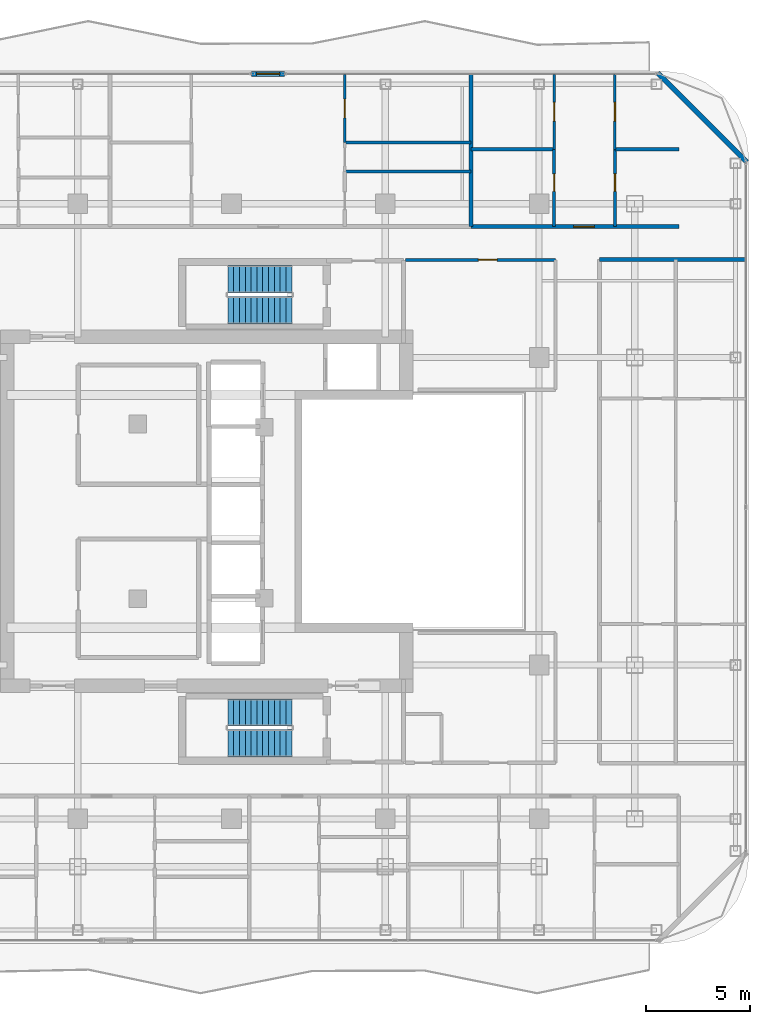
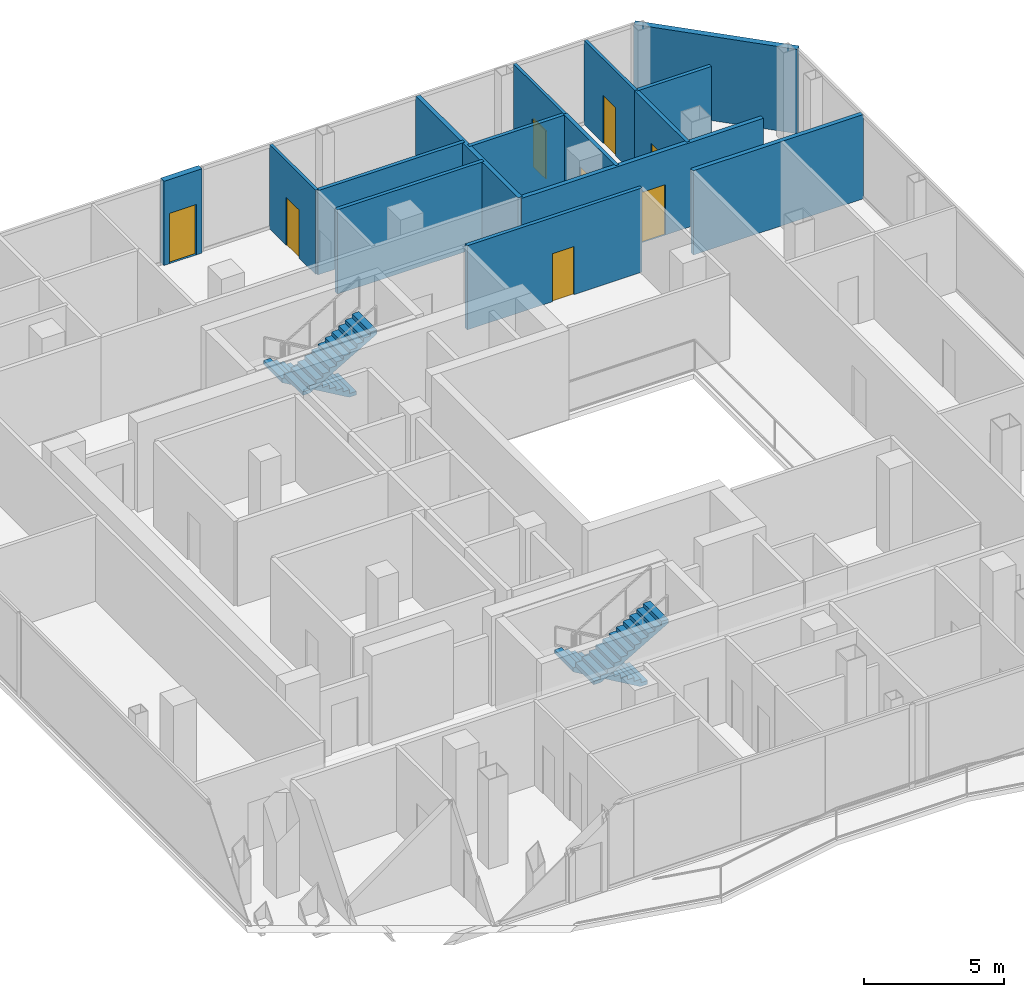
# One storey, part 20 of 23: 15 walls, 8 doors, 4 stair flights, 8 openings, 2 elements without a shape of their own.
"""IFC4 building model written with IfcOpenShell, lengths in metres."""

from ifc_helpers import new_model, si_unit, direction, frame, frame_2d, origin, place, context, subcontext, project, spatial, polyline, rectangle, outline, extrude, material, layer, layer_set, type_object, element, fill, aggregate, save


model = new_model("IFC4")

# Units and contexts
model_context = context("Model", 3, precision=1e-05, world=origin(), true_north=direction((0.0, 1.0)))
body_context = subcontext(model_context, "Body", "Model", "MODEL_VIEW")
ifc_project = project(units=[si_unit("LENGTHUNIT", "METRE"), si_unit("AREAUNIT", "SQUARE_METRE"), si_unit("VOLUMEUNIT", "CUBIC_METRE"), si_unit("PLANEANGLEUNIT", "RADIAN"), si_unit("MASSUNIT", "GRAM", prefix="KILO")], contexts=[model_context])

# Site, building, storey
site_placement = place(None, origin())
site = spatial("IfcSite", under=ifc_project, at=site_placement, CompositionType="ELEMENT")
building_placement = place(site_placement, origin())
building = spatial("IfcBuilding", under=site, at=building_placement, Name="Khorvyn Point Tower", CompositionType="ELEMENT")
storey_placement = place(building_placement, frame((0.0, 0.0, 274.199951171875)))
storey = spatial("IfcBuildingStorey", under=building, at=storey_placement, Name="L67", CompositionType="ELEMENT", Elevation=274.199951171875)

# Wall, opening, door
ifc_material_1 = material(Name="Double acoustic gypsum on twin steel stud", Category="steel")
ifc_layer_1 = layer(ifc_material_1, 0.179931640625)
ifc_layer_set_1 = layer_set([ifc_layer_1], Name="Acoustic Double-Stud Apartment Demising Wall 180")
wall_type_1 = type_object("IfcWallType", Name="Acoustic Double-Stud Apartment Demising Wall 180", PredefinedType="PARTITIONING", material=ifc_layer_set_1)
wall_1_placement = place(storey_placement, frame((11.51806640625, 13.699951171875, 0.0), z_axis=(0.0, 0.0, 1.0), x_axis=(1.0, 0.0, 0.0)))
wall_1 = element("IfcWall", 1, at=wall_1_placement, inside=storey, type_object=wall_type_1, Name="Wall", PredefinedType="PARTITIONING", context=body_context, shape_type="SweptSolid", body=[
    extrude(rectangle(XDim=10.001953125, YDim=0.179931640625, at=frame_2d((5.0009765625, 0.0))), origin(), (0.0, 0.0, 1.0), 3.679931640625),
])
opening_1_placement = place(wall_1_placement, frame((4.944091796875, 0.0, 0.0)))
opening_1 = element("IfcOpeningElement", 2, at=opening_1_placement, cuts=wall_1, Name="Opening ID-AP60", PredefinedType="OPENING", context=body_context, shape_type="SweptSolid", body=[
    extrude(rectangle(XDim=1.0, YDim=2.199951171875, at=frame_2d((0.5, 1.10009765625))), frame((0.0, 0.099853515625, 0.0), z_axis=(0.0, -1.0, 0.0), x_axis=(1.0, 0.0, 0.0)), (0.0, 0.0, 1.0), 0.199951171875),
])
ifc_material_2 = material(Name="Engineered hardwood fire-rated leaf", Category="wood")
door_type_1 = type_object("IfcDoorType", Name="Acoustic Solid-Core Timber Apartment Entrance Door 1000x2200", OperationType="NOTDEFINED", PredefinedType="DOOR", material=ifc_material_2)
door_1_placement = place(opening_1_placement, origin())
door_1 = element("IfcDoor", 3, at=door_1_placement, inside=storey, type_object=door_type_1, Name="Door", OperationType="SINGLE_SWING_LEFT", OverallHeight=2.199951171875, OverallWidth=1.0, PredefinedType="DOOR", context=body_context, shape_type="SweptSolid", body=[
    extrude(rectangle(XDim=1.0, YDim=2.199951171875, at=frame_2d((0.5, 1.10009765625))), frame((0.0, 0.02490234375, 0.0), z_axis=(0.0, -1.0, 0.0), x_axis=(1.0, 0.0, 0.0)), (0.0, 0.0, 1.0), 0.050048828125),
])
fill(opening_1, door_1)

# Walls
wall_2_placement = place(storey_placement, frame((11.51806640625, 13.699951171875, 0.0), z_axis=(0.0, 0.0, 1.0), x_axis=(0.0, 1.0, 0.0)))
element("IfcWall", 4, at=wall_2_placement, inside=storey, type_object=wall_type_1, Name="Wall", PredefinedType="PARTITIONING", context=body_context, shape_type="SweptSolid", body=[
    extrude(rectangle(XDim=7.330078125, YDim=0.179931640625, at=frame_2d((3.6650390625, 0.0))), origin(), (0.0, 0.0, 1.0), 3.679931640625),
])
wall_3_placement = place(storey_placement, frame((17.699951171875, 12.1201171875, 0.0), z_axis=(0.0, 0.0, 1.0), x_axis=(1.0, 0.0, 0.0)))
element("IfcWall", 5, at=wall_3_placement, inside=storey, type_object=wall_type_1, Name="Wall", PredefinedType="PARTITIONING", context=body_context, shape_type="SweptSolid", body=[
    extrude(rectangle(XDim=7.030029296875, YDim=0.179931640625, at=frame_2d((3.51513671875, 0.0))), origin(), (0.0, 0.0, 1.0), 3.679931640625),
])

# Wall, opening, door
ifc_material_3 = material(Name="Pale anodised aluminium rainscreen on steel stud", Category="steel")
ifc_layer_2 = layer(ifc_material_3, 0.239990234375)
ifc_layer_set_2 = layer_set([ifc_layer_2], Name="Anodised Aluminium Insulated Corner Spandrel Wall 240")
wall_type_2 = type_object("IfcWallType", Name="Anodised Aluminium Insulated Corner Spandrel Wall 240", PredefinedType="SOLIDWALL", material=ifc_layer_set_2)
wall_4_placement = place(storey_placement, frame((0.967041015625, 21.050048828125, 0.0), z_axis=(0.0, 0.0, 1.0), x_axis=(1.0, 0.0, 0.0)))
wall_4 = element("IfcWall", 6, at=wall_4_placement, inside=storey, type_object=wall_type_2, Name="L67 North Outdoor Threshold Wall", PredefinedType="SOLIDWALL", context=body_context, shape_type="SweptSolid", body=[
    extrude(rectangle(XDim=1.580078125, YDim=0.239990234375, at=frame_2d((0.7900390625, 0.0))), origin(), (0.0, 0.0, 1.0), 3.679931640625),
])
opening_2_placement = place(wall_4_placement, frame((0.239990234375, 0.0, 0.0)))
opening_2 = element("IfcOpeningElement", 7, at=opening_2_placement, cuts=wall_4, Name="Opening BD-1122", PredefinedType="OPENING", context=body_context, shape_type="SweptSolid", body=[
    extrude(rectangle(XDim=1.10009765625, YDim=2.199951171875, at=frame_2d((0.550048828125, 1.10009765625))), frame((0.0, 0.1298828125, 0.0), z_axis=(0.0, -1.0, 0.0), x_axis=(1.0, 0.0, 0.0)), (0.0, 0.0, 1.0), 0.260009765625),
])
ifc_material_4 = material(Name="Anodised aluminium 6063-T6 and laminated Low-E glass", Category="aluminium")
door_type_2 = type_object("IfcDoorType", Name="Glazed Balcony and Terrace Threshold Door 1100x2200", OperationType="NOTDEFINED", PredefinedType="DOOR", material=ifc_material_4)
door_2_placement = place(opening_2_placement, origin())
door_2 = element("IfcDoor", 8, at=door_2_placement, inside=storey, type_object=door_type_2, Name="L67 North Glazed Balcony Outdoor Door", OperationType="SINGLE_SWING_LEFT", OverallHeight=2.199951171875, OverallWidth=1.10009765625, PredefinedType="DOOR", context=body_context, shape_type="SweptSolid", body=[
    extrude(rectangle(XDim=1.10009765625, YDim=2.199951171875, at=frame_2d((0.550048828125, 1.10009765625))), frame((0.0, 0.02490234375, 0.0), z_axis=(0.0, -1.0, 0.0), x_axis=(1.0, 0.0, 0.0)), (0.0, 0.0, 1.0), 0.050048828125),
])
fill(opening_2, door_2)

# Wall
wall_5_placement = place(storey_placement, frame((20.507568359375, 21.09228515625, 0.0), z_axis=(0.0, 0.0, 1.0), x_axis=(0.707126925818, -0.707086635981, 0.0)))
element("IfcWall", 9, at=wall_5_placement, inside=storey, type_object=wall_type_2, Name="L67 Rounded Corner Wall NE", PredefinedType="SOLIDWALL", context=body_context, shape_type="SweptSolid", body=[
    extrude(rectangle(XDim=6.0595703125, YDim=0.239990234375, at=frame_2d((3.02978515625, 0.0))), origin(), (0.0, 0.0, 1.0), 3.679931640625),
])

# Wall, opening, door
ifc_material_5 = material(Name="Gypsum plasterboard on steel stud", Category="steel")
ifc_layer_3 = layer(ifc_material_5, 0.1201171875)
ifc_layer_set_3 = layer_set([ifc_layer_3], Name="Gypsum Acoustic Stud Room Partition Wall 120")
wall_type_3 = type_object("IfcWallType", Name="Gypsum Acoustic Stud Room Partition Wall 120", PredefinedType="PARTITIONING", material=ifc_layer_set_3)
wall_6_placement = place(storey_placement, frame((5.448974609375, 17.743896484375, 0.0), z_axis=(0.0, 0.0, 1.0), x_axis=(0.0, 1.0, 0.0)))
wall_6 = element("IfcWall", 10, at=wall_6_placement, inside=storey, type_object=wall_type_3, Name="Wall", PredefinedType="PARTITIONING", context=body_context, shape_type="SweptSolid", body=[
    extrude(rectangle(XDim=3.2861328125, YDim=0.1201171875, at=frame_2d((1.64306640625, 0.0))), origin(), (0.0, 0.0, 1.0), 3.679931640625),
])
opening_3_placement = place(wall_6_placement, frame((1.193115234375, 0.0, 0.0)))
opening_3 = element("IfcOpeningElement", 11, at=opening_3_placement, cuts=wall_6, Name="Opening ID-RM90", PredefinedType="OPENING", context=body_context, shape_type="SweptSolid", body=[
    extrude(rectangle(XDim=0.89990234375, YDim=2.10009765625, at=frame_2d((0.449951171875, 1.050048828125))), frame((0.0, 0.070068359375, 0.0), z_axis=(0.0, -1.0, 0.0), x_axis=(1.0, 0.0, 0.0)), (0.0, 0.0, 1.0), 0.14013671875),
])
ifc_material_6 = material(Name="Engineered oak veneer timber", Category="wood")
door_type_3 = type_object("IfcDoorType", Name="Flush Engineered Timber Room Door 900x2100", OperationType="NOTDEFINED", PredefinedType="DOOR", material=ifc_material_6)
door_3_placement = place(opening_3_placement, origin())
door_3 = element("IfcDoor", 12, at=door_3_placement, inside=storey, type_object=door_type_3, Name="Door", OperationType="SINGLE_SWING_RIGHT", OverallHeight=2.10009765625, OverallWidth=0.89990234375, PredefinedType="DOOR", context=body_context, shape_type="SweptSolid", body=[
    extrude(rectangle(XDim=0.89990234375, YDim=2.10009765625, at=frame_2d((0.449951171875, 1.050048828125))), frame((0.0, 0.02490234375, 0.0), z_axis=(0.0, -1.0, 0.0), x_axis=(1.0, 0.0, 0.0)), (0.0, 0.0, 1.0), 0.050048828125),
])
fill(opening_3, door_3)

wall_7_placement = place(storey_placement, frame((15.51904296875, 17.4208984375, 0.0), z_axis=(0.0, 0.0, 1.0), x_axis=(0.0, 1.0, 0.0)))
wall_7 = element("IfcWall", 13, at=wall_7_placement, inside=storey, type_object=wall_type_3, Name="Wall", PredefinedType="PARTITIONING", context=body_context, shape_type="SweptSolid", body=[
    extrude(rectangle(XDim=3.609130859375, YDim=0.1201171875, at=frame_2d((1.8046875, 0.0))), origin(), (0.0, 0.0, 1.0), 3.679931640625),
])
opening_4_placement = place(wall_7_placement, frame((1.3544921875, 0.0, 0.0)))
opening_4 = element("IfcOpeningElement", 14, at=opening_4_placement, cuts=wall_7, Name="Opening ID-RM90", PredefinedType="OPENING", context=body_context, shape_type="SweptSolid", body=[
    extrude(rectangle(XDim=0.89990234375, YDim=2.10009765625, at=frame_2d((0.449951171875, 1.050048828125))), frame((0.0, 0.070068359375, 0.0), z_axis=(0.0, -1.0, 0.0), x_axis=(1.0, 0.0, 0.0)), (0.0, 0.0, 1.0), 0.14013671875),
])
door_4_placement = place(opening_4_placement, origin())
door_4 = element("IfcDoor", 15, at=door_4_placement, inside=storey, type_object=door_type_3, Name="Door", OperationType="SINGLE_SWING_LEFT", OverallHeight=2.10009765625, OverallWidth=0.89990234375, PredefinedType="DOOR", context=body_context, shape_type="SweptSolid", body=[
    extrude(rectangle(XDim=0.89990234375, YDim=2.10009765625, at=frame_2d((0.449951171875, 1.050048828125))), frame((0.0, 0.02490234375, 0.0), z_axis=(0.0, -1.0, 0.0), x_axis=(1.0, 0.0, 0.0)), (0.0, 0.0, 1.0), 0.050048828125),
])
fill(opening_4, door_4)

wall_8_placement = place(storey_placement, frame((18.450927734375, 17.4208984375, 0.0), z_axis=(0.0, 0.0, 1.0), x_axis=(0.0, 1.0, 0.0)))
wall_8 = element("IfcWall", 16, at=wall_8_placement, inside=storey, type_object=wall_type_3, Name="Wall", PredefinedType="PARTITIONING", context=body_context, shape_type="SweptSolid", body=[
    extrude(rectangle(XDim=3.609130859375, YDim=0.1201171875, at=frame_2d((1.8046875, 0.0))), origin(), (0.0, 0.0, 1.0), 3.679931640625),
])
opening_5_placement = place(wall_8_placement, frame((1.3544921875, 0.0, 0.0)))
opening_5 = element("IfcOpeningElement", 17, at=opening_5_placement, cuts=wall_8, Name="Opening ID-RM90", PredefinedType="OPENING", context=body_context, shape_type="SweptSolid", body=[
    extrude(rectangle(XDim=0.89990234375, YDim=2.10009765625, at=frame_2d((0.449951171875, 1.050048828125))), frame((0.0, 0.070068359375, 0.0), z_axis=(0.0, -1.0, 0.0), x_axis=(1.0, 0.0, 0.0)), (0.0, 0.0, 1.0), 0.14013671875),
])
door_5_placement = place(opening_5_placement, origin())
door_5 = element("IfcDoor", 18, at=door_5_placement, inside=storey, type_object=door_type_3, Name="Door", OperationType="SINGLE_SWING_LEFT", OverallHeight=2.10009765625, OverallWidth=0.89990234375, PredefinedType="DOOR", context=body_context, shape_type="SweptSolid", body=[
    extrude(rectangle(XDim=0.89990234375, YDim=2.10009765625, at=frame_2d((0.449951171875, 1.050048828125))), frame((0.0, 0.02490234375, 0.0), z_axis=(0.0, -1.0, 0.0), x_axis=(1.0, 0.0, 0.0)), (0.0, 0.0, 1.0), 0.050048828125),
])
fill(opening_5, door_5)

ifc_material_7 = material(Name="Moisture-resistant gypsum and cement board", Category="gypsum")
ifc_layer_4 = layer(ifc_material_7, 0.14990234375)
ifc_layer_set_4 = layer_set([ifc_layer_4], Name="Moisture-Resistant Wet-Room Partition Wall 150")
wall_type_4 = type_object("IfcWallType", Name="Moisture-Resistant Wet-Room Partition Wall 150", PredefinedType="PARTITIONING", material=ifc_layer_set_4)
wall_9_placement = place(storey_placement, frame((8.360107421875, 12.10009765625, 0.0), z_axis=(0.0, 0.0, 1.0), x_axis=(1.0, 0.0, 0.0)))
wall_9 = element("IfcWall", 19, at=wall_9_placement, inside=storey, type_object=wall_type_4, Name="Wall", PredefinedType="PARTITIONING", context=body_context, shape_type="SweptSolid", body=[
    extrude(rectangle(XDim=7.219970703125, YDim=0.14990234375, at=frame_2d((3.60986328125, 0.0))), origin(), (0.0, 0.0, 1.0), 3.679931640625),
])
opening_6_placement = place(wall_9_placement, frame((3.512939453125, 0.0, 0.0)))
opening_6 = element("IfcOpeningElement", 20, at=opening_6_placement, cuts=wall_9, Name="Opening ID-RM90", PredefinedType="OPENING", context=body_context, shape_type="SweptSolid", body=[
    extrude(rectangle(XDim=0.89990234375, YDim=2.10009765625, at=frame_2d((0.449951171875, 1.050048828125))), frame((0.0, 0.0849609375, 0.0), z_axis=(0.0, -1.0, 0.0), x_axis=(1.0, 0.0, 0.0)), (0.0, 0.0, 1.0), 0.169921875),
])
door_6_placement = place(opening_6_placement, origin())
door_6 = element("IfcDoor", 21, at=door_6_placement, inside=storey, type_object=door_type_3, Name="Door", OperationType="SINGLE_SWING_RIGHT", OverallHeight=2.10009765625, OverallWidth=0.89990234375, PredefinedType="DOOR", context=body_context, shape_type="SweptSolid", body=[
    extrude(rectangle(XDim=0.89990234375, YDim=2.10009765625, at=frame_2d((0.449951171875, 1.050048828125))), frame((0.0, 0.02490234375, 0.0), z_axis=(0.0, -1.0, 0.0), x_axis=(1.0, 0.0, 0.0)), (0.0, 0.0, 1.0), 0.050048828125),
])
fill(opening_6, door_6)

wall_10_placement = place(storey_placement, frame((15.51904296875, 13.699951171875, 0.0), z_axis=(0.0, 0.0, 1.0), x_axis=(0.0, 1.0, 0.0)))
wall_10 = element("IfcWall", 22, at=wall_10_placement, inside=storey, type_object=wall_type_4, Name="Wall", PredefinedType="PARTITIONING", context=body_context, shape_type="SweptSolid", body=[
    extrude(rectangle(XDim=3.720947265625, YDim=0.14990234375, at=frame_2d((1.8603515625, 0.0))), origin(), (0.0, 0.0, 1.0), 3.679931640625),
])
opening_7_placement = place(wall_10_placement, frame((1.690673828125, 0.0, 0.0)))
opening_7 = element("IfcOpeningElement", 23, at=opening_7_placement, cuts=wall_10, Name="Opening ID-WC85", PredefinedType="OPENING", context=body_context, shape_type="SweptSolid", body=[
    extrude(rectangle(XDim=0.85009765625, YDim=2.10009765625, at=frame_2d((0.425048828125, 1.050048828125))), frame((0.0, 0.0849609375, 0.0), z_axis=(0.0, -1.0, 0.0), x_axis=(1.0, 0.0, 0.0)), (0.0, 0.0, 1.0), 0.169921875),
])
ifc_material_8 = material(Name="High-pressure laminate on moisture-resistant core", Category="wood")
door_type_4 = type_object("IfcDoorType", Name="Moisture-Resistant Accessible Washroom Door 850x2100", OperationType="NOTDEFINED", PredefinedType="DOOR", material=ifc_material_8)
door_7_placement = place(opening_7_placement, origin())
door_7 = element("IfcDoor", 24, at=door_7_placement, inside=storey, type_object=door_type_4, Name="Door", OperationType="SINGLE_SWING_RIGHT", OverallHeight=2.10009765625, OverallWidth=0.85009765625, PredefinedType="DOOR", context=body_context, shape_type="SweptSolid", body=[
    extrude(rectangle(XDim=0.85009765625, YDim=2.10009765625, at=frame_2d((0.425048828125, 1.050048828125))), frame((0.0, 0.02490234375, 0.0), z_axis=(0.0, -1.0, 0.0), x_axis=(1.0, 0.0, 0.0)), (0.0, 0.0, 1.0), 0.050048828125),
])
fill(opening_7, door_7)

wall_11_placement = place(storey_placement, frame((18.450927734375, 13.699951171875, 0.0), z_axis=(0.0, 0.0, 1.0), x_axis=(0.0, 1.0, 0.0)))
wall_11 = element("IfcWall", 25, at=wall_11_placement, inside=storey, type_object=wall_type_4, Name="Wall", PredefinedType="PARTITIONING", context=body_context, shape_type="SweptSolid", body=[
    extrude(rectangle(XDim=3.720947265625, YDim=0.14990234375, at=frame_2d((1.8603515625, 0.0))), origin(), (0.0, 0.0, 1.0), 3.679931640625),
])
opening_8_placement = place(wall_11_placement, frame((1.690673828125, 0.0, 0.0)))
opening_8 = element("IfcOpeningElement", 26, at=opening_8_placement, cuts=wall_11, Name="Opening ID-WC85", PredefinedType="OPENING", context=body_context, shape_type="SweptSolid", body=[
    extrude(rectangle(XDim=0.85009765625, YDim=2.10009765625, at=frame_2d((0.425048828125, 1.050048828125))), frame((0.0, 0.0849609375, 0.0), z_axis=(0.0, -1.0, 0.0), x_axis=(1.0, 0.0, 0.0)), (0.0, 0.0, 1.0), 0.169921875),
])
door_8_placement = place(opening_8_placement, origin())
door_8 = element("IfcDoor", 27, at=door_8_placement, inside=storey, type_object=door_type_4, Name="Door", OperationType="SINGLE_SWING_RIGHT", OverallHeight=2.10009765625, OverallWidth=0.85009765625, PredefinedType="DOOR", context=body_context, shape_type="SweptSolid", body=[
    extrude(rectangle(XDim=0.85009765625, YDim=2.10009765625, at=frame_2d((0.425048828125, 1.050048828125))), frame((0.0, 0.02490234375, 0.0), z_axis=(0.0, -1.0, 0.0), x_axis=(1.0, 0.0, 0.0)), (0.0, 0.0, 1.0), 0.050048828125),
])
fill(opening_8, door_8)

# Walls
for number, where, z_axis, x_axis, name in (
    (28, (5.448974609375, 16.361083984375, 0.0), (0.0, 0.0, 1.0), (1.0, 0.0, 0.0), "Wall"),
    (29, (5.448974609375, 17.743896484375, 0.0), (0.0, 0.0, 1.0), (1.0, 0.0, 0.0), "Wall"),
):
    element("IfcWall", number, at=place(storey_placement, frame(where, z_axis=z_axis, x_axis=x_axis)), inside=storey, type_object=wall_type_4, Name=name, PredefinedType="PARTITIONING", context=body_context, shape_type="SweptSolid", body=[
        extrude(rectangle(XDim=6.069091796875, YDim=0.14990234375, at=frame_2d((3.03466796875, 0.0))), origin(), (0.0, 0.0, 1.0), 3.679931640625),
    ])
wall_12_placement = place(storey_placement, frame((11.51806640625, 17.4208984375, 0.0), z_axis=(0.0, 0.0, 1.0), x_axis=(1.0, 0.0, 0.0)))
element("IfcWall", 30, at=wall_12_placement, inside=storey, type_object=wall_type_4, Name="Wall", PredefinedType="PARTITIONING", context=body_context, shape_type="SweptSolid", body=[
    extrude(rectangle(XDim=4.0009765625, YDim=0.14990234375, at=frame_2d((2.00048828125, 0.0))), origin(), (0.0, 0.0, 1.0), 3.679931640625),
])
wall_13_placement = place(storey_placement, frame((18.450927734375, 17.4208984375, 0.0), z_axis=(0.0, 0.0, 1.0), x_axis=(1.0, 0.0, 0.0)))
element("IfcWall", 31, at=wall_13_placement, inside=storey, type_object=wall_type_4, Name="Wall", PredefinedType="PARTITIONING", context=body_context, shape_type="SweptSolid", body=[
    extrude(rectangle(XDim=3.069091796875, YDim=0.14990234375, at=frame_2d((1.53466796875, 0.0))), origin(), (0.0, 0.0, 1.0), 3.679931640625),
])

# Stair, stair flights
ifc_material_9 = material(Name="Concrete C40/50", Category="concrete")
stair_type = type_object("IfcStairType", Name="Tower Concrete C40/50 Dogleg Exit Stair", PredefinedType="HALF_TURN_STAIR", material=ifc_material_9)
stair_1_placement = place(storey_placement, origin())
stair_1 = element("IfcStair", 32, at=stair_1_placement, inside=storey, type_object=stair_type, Name="L67 Tower Smokeproof Exit Stair South", PredefinedType="HALF_TURN_STAIR")
stair_flight_type = type_object("IfcStairFlightType", Name="Tower Concrete C40/50 Stair Flight", PredefinedType="STRAIGHT", material=ifc_material_9)
stair_flight_1_placement = place(storey_placement, frame((2.89990234375, -9.679931640625, 0.0), z_axis=(0.0, 0.0, 1.0), x_axis=(-1.0, 0.0, 0.0)))
stair_flight_1 = element("IfcStairFlight", 33, at=stair_flight_1_placement, type_object=stair_flight_type, Name="ST-01 flight 1", NumberOfRisers=12, NumberOfTreads=11, PredefinedType="STRAIGHT", RiserHeight=0.1625, TreadLength=0.28, context=body_context, shape_type="SweptSolid", body=[
    extrude(outline(polyline([(0.0, 0.0), (0.0, 0.16259765625), (0.280029296875, 0.16259765625), (0.280029296875, 0.324951171875), (0.56005859375, 0.324951171875), (0.56005859375, 0.487548828125), (0.840087890625, 0.487548828125), (0.840087890625, 0.64990234375), (1.1201171875, 0.64990234375), (1.1201171875, 0.8125), (1.39990234375, 0.8125), (1.39990234375, 0.97509765625), (1.679931640625, 0.97509765625), (1.679931640625, 1.137451171875), (1.9599609375, 1.137451171875), (1.9599609375, 1.300048828125), (2.239990234375, 1.300048828125), (2.239990234375, 1.46240234375), (2.52001953125, 1.46240234375), (2.52001953125, 1.625), (2.800048828125, 1.625), (2.800048828125, 1.78759765625), (3.080078125, 1.78759765625), (3.080078125, 1.949951171875), (3.080078125, 1.6142578125), (0.298583984375, 0.0), (0.0, 0.0)])), frame((0.0, 0.66015625, 0.0), z_axis=(0.0, -1.0, 0.0), x_axis=(1.0, 0.0, 0.0)), (0.0, 0.0, 1.0), 1.320068359375),
])
stair_flight_2_placement = place(storey_placement, frame((-0.179931640625, -11.159912109375, 1.949951171875), z_axis=(0.0, 0.0, 1.0), x_axis=(1.0, 0.0, 0.0)))
stair_flight_2 = element("IfcStairFlight", 34, at=stair_flight_2_placement, type_object=stair_flight_type, Name="ST-01 flight 2", NumberOfRisers=12, NumberOfTreads=11, PredefinedType="STRAIGHT", RiserHeight=0.1625, TreadLength=0.28, context=body_context, shape_type="SweptSolid", body=[
    extrude(outline(polyline([(0.0, 0.0), (0.0, 0.16259765625), (0.280029296875, 0.16259765625), (0.280029296875, 0.324951171875), (0.56005859375, 0.324951171875), (0.56005859375, 0.487548828125), (0.840087890625, 0.487548828125), (0.840087890625, 0.64990234375), (1.1201171875, 0.64990234375), (1.1201171875, 0.8125), (1.39990234375, 0.8125), (1.39990234375, 0.97509765625), (1.679931640625, 0.97509765625), (1.679931640625, 1.137451171875), (1.9599609375, 1.137451171875), (1.9599609375, 1.300048828125), (2.239990234375, 1.300048828125), (2.239990234375, 1.46240234375), (2.52001953125, 1.46240234375), (2.52001953125, 1.625), (2.800048828125, 1.625), (2.800048828125, 1.78759765625), (3.080078125, 1.78759765625), (3.080078125, 1.949951171875), (3.080078125, 1.6142578125), (0.298583984375, 0.0), (0.0, 0.0)])), frame((0.0, 0.66015625, 0.0), z_axis=(0.0, -1.0, 0.0), x_axis=(1.0, 0.0, 0.0)), (0.0, 0.0, 1.0), 1.320068359375),
])
aggregate(stair_1, [stair_flight_1, stair_flight_2])

stair_2_placement = place(storey_placement, origin())
stair_2 = element("IfcStair", 35, at=stair_2_placement, inside=storey, type_object=stair_type, Name="L67 Tower Smokeproof Exit Stair North", PredefinedType="HALF_TURN_STAIR")
stair_flight_3_placement = place(storey_placement, frame((2.89990234375, 11.159912109375, 0.0), z_axis=(0.0, 0.0, 1.0), x_axis=(-1.0, 0.0, 0.0)))
stair_flight_3 = element("IfcStairFlight", 36, at=stair_flight_3_placement, type_object=stair_flight_type, Name="ST-02 flight 1", NumberOfRisers=12, NumberOfTreads=11, PredefinedType="STRAIGHT", RiserHeight=0.1625, TreadLength=0.28, context=body_context, shape_type="SweptSolid", body=[
    extrude(outline(polyline([(0.0, 0.0), (0.0, 0.16259765625), (0.280029296875, 0.16259765625), (0.280029296875, 0.324951171875), (0.56005859375, 0.324951171875), (0.56005859375, 0.487548828125), (0.840087890625, 0.487548828125), (0.840087890625, 0.64990234375), (1.1201171875, 0.64990234375), (1.1201171875, 0.8125), (1.39990234375, 0.8125), (1.39990234375, 0.97509765625), (1.679931640625, 0.97509765625), (1.679931640625, 1.137451171875), (1.9599609375, 1.137451171875), (1.9599609375, 1.300048828125), (2.239990234375, 1.300048828125), (2.239990234375, 1.46240234375), (2.52001953125, 1.46240234375), (2.52001953125, 1.625), (2.800048828125, 1.625), (2.800048828125, 1.78759765625), (3.080078125, 1.78759765625), (3.080078125, 1.949951171875), (3.080078125, 1.6142578125), (0.298583984375, 0.0), (0.0, 0.0)])), frame((0.0, 0.66015625, 0.0), z_axis=(0.0, -1.0, 0.0), x_axis=(1.0, 0.0, 0.0)), (0.0, 0.0, 1.0), 1.320068359375),
])
stair_flight_4_placement = place(storey_placement, frame((-0.179931640625, 9.679931640625, 1.949951171875), z_axis=(0.0, 0.0, 1.0), x_axis=(1.0, 0.0, 0.0)))
stair_flight_4 = element("IfcStairFlight", 37, at=stair_flight_4_placement, type_object=stair_flight_type, Name="ST-02 flight 2", NumberOfRisers=12, NumberOfTreads=11, PredefinedType="STRAIGHT", RiserHeight=0.1625, TreadLength=0.28, context=body_context, shape_type="SweptSolid", body=[
    extrude(outline(polyline([(0.0, 0.0), (0.0, 0.16259765625), (0.280029296875, 0.16259765625), (0.280029296875, 0.324951171875), (0.56005859375, 0.324951171875), (0.56005859375, 0.487548828125), (0.840087890625, 0.487548828125), (0.840087890625, 0.64990234375), (1.1201171875, 0.64990234375), (1.1201171875, 0.8125), (1.39990234375, 0.8125), (1.39990234375, 0.97509765625), (1.679931640625, 0.97509765625), (1.679931640625, 1.137451171875), (1.9599609375, 1.137451171875), (1.9599609375, 1.300048828125), (2.239990234375, 1.300048828125), (2.239990234375, 1.46240234375), (2.52001953125, 1.46240234375), (2.52001953125, 1.625), (2.800048828125, 1.625), (2.800048828125, 1.78759765625), (3.080078125, 1.78759765625), (3.080078125, 1.949951171875), (3.080078125, 1.6142578125), (0.298583984375, 0.0), (0.0, 0.0)])), frame((0.0, 0.66015625, 0.0), z_axis=(0.0, -1.0, 0.0), x_axis=(1.0, 0.0, 0.0)), (0.0, 0.0, 1.0), 1.320068359375),
])
aggregate(stair_2, [stair_flight_3, stair_flight_4])

save(model, "model.ifc")
